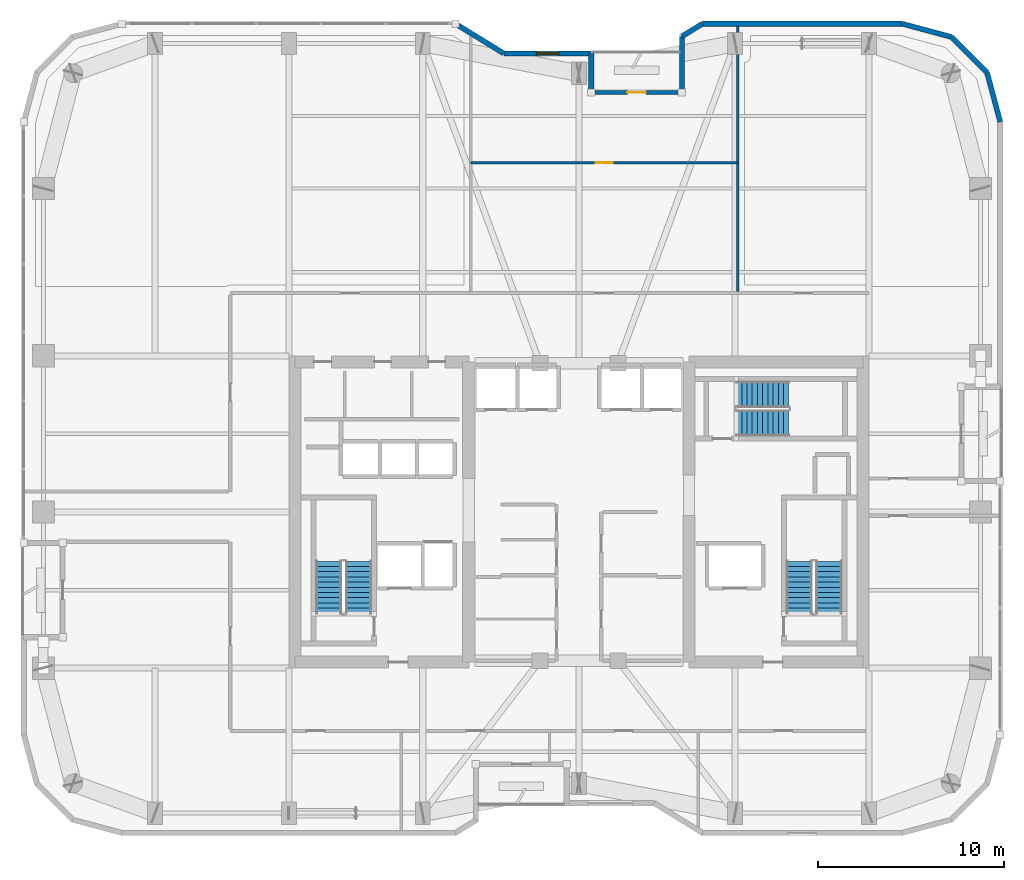
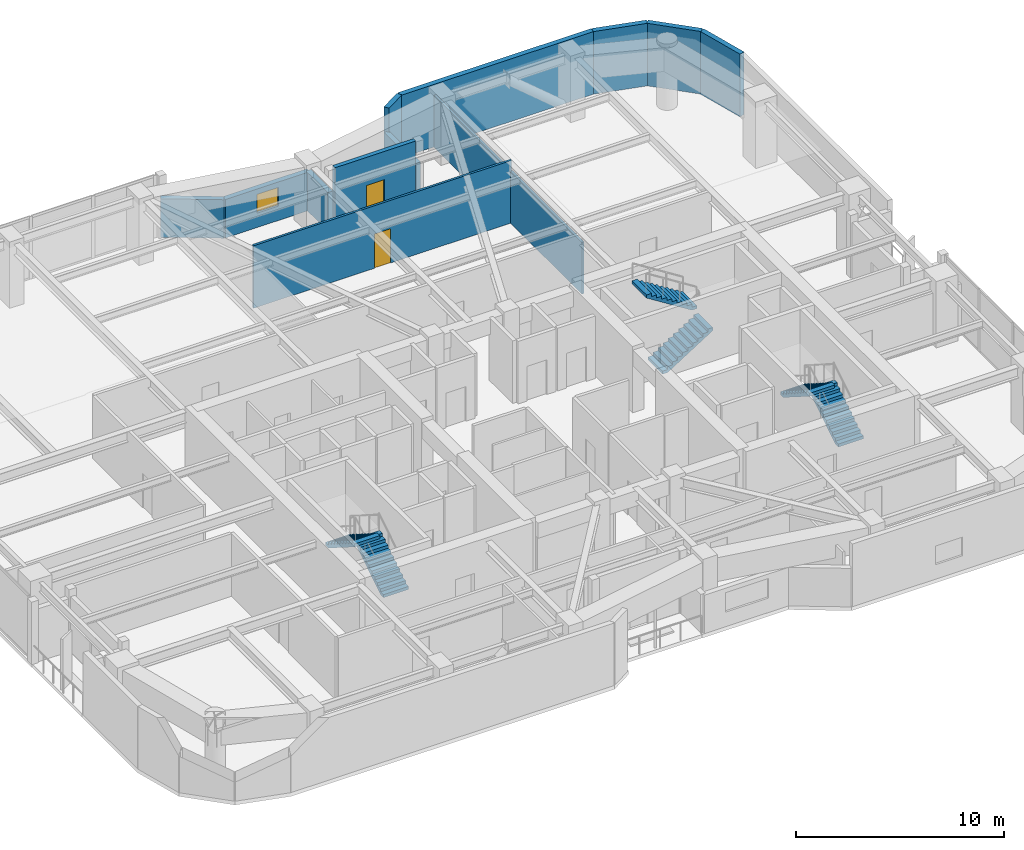
# One storey, part 27 of 30: 12 walls, 6 stair flights, 2 doors, 1 window, 3 openings, 3 elements without a shape of their own.
"""IFC4 building model written with IfcOpenShell, lengths in metres."""

from ifc_helpers import new_model, si_unit, direction, frame, frame_2d, origin, place, context, subcontext, project, spatial, polyline, rectangle, outline, extrude, material, layer, layer_set, type_object, element, fill, aggregate, save


model = new_model("IFC4")

# Units and contexts
model_context = context("Model", 3, precision=1e-05, world=origin(), true_north=direction((0.0, 1.0)))
body_context = subcontext(model_context, "Body", "Model", "MODEL_VIEW")
ifc_project = project(units=[si_unit("LENGTHUNIT", "METRE"), si_unit("AREAUNIT", "SQUARE_METRE"), si_unit("VOLUMEUNIT", "CUBIC_METRE"), si_unit("PLANEANGLEUNIT", "RADIAN"), si_unit("MASSUNIT", "GRAM", prefix="KILO")], contexts=[model_context])

# Site, building, storey
site_placement = place(None, origin())
site = spatial("IfcSite", under=ifc_project, at=site_placement, CompositionType="ELEMENT")
building_placement = place(site_placement, origin())
building = spatial("IfcBuilding", under=site, at=building_placement, Name="Kiyonajd Concourse Tower", CompositionType="ELEMENT")
storey_placement = place(building_placement, frame((0.0, 0.0, 190.199951171875)))
storey = spatial("IfcBuildingStorey", under=building, at=storey_placement, Name="L48", CompositionType="ELEMENT", Elevation=190.199951171875)

# Wall
ifc_material_1 = material(Name="Precast concrete C50/60", Category="concrete")
ifc_layer_1 = layer(ifc_material_1, 0.280029296875)
ifc_layer_set_1 = layer_set([ifc_layer_1], Name="Precast concrete C50/60")
wall_type_1 = type_object("IfcWallType", Name="WL-EXT-280", PredefinedType="SOLIDWALL", material=ifc_layer_set_1)
wall_1_placement = place(storey_placement, frame((41.3603515625, 62.260009765625, 0.0), z_axis=(0.0, 0.0, 1.0), x_axis=(0.851652825334, -0.524106349037, 0.0)))
element("IfcWall", 1, at=wall_1_placement, inside=storey, type_object=wall_type_1, Name="L48 Exterior Concrete Frame Wall 10", PredefinedType="SOLIDWALL", context=body_context, shape_type="SweptSolid", body=[
    extrude(rectangle(XDim=3.052978515625, YDim=0.280029296875, at=frame_2d((1.5263671875, 0.0))), origin(), (0.0, 0.0, 1.0), 2.26513671875),
])

# Wall, opening, window
wall_2_placement = place(storey_placement, frame((43.96044921875, 60.659912109375, 0.0), z_axis=(0.0, 0.0, 1.0), x_axis=(1.0, 0.0, 0.0)))
wall_2 = element("IfcWall", 2, at=wall_2_placement, inside=storey, type_object=wall_type_1, Name="L48 Exterior Concrete Frame Wall 11", PredefinedType="SOLIDWALL", context=body_context, shape_type="SweptSolid", body=[
    extrude(rectangle(XDim=4.699462890625, YDim=0.280029296875, at=frame_2d((2.349609375, 0.0))), origin(), (0.0, 0.0, 1.0), 2.26513671875),
])
opening_1_placement = place(wall_2_placement, frame((1.75, 0.0, 0.85009765625)))
opening_1 = element("IfcOpeningElement", 3, at=opening_1_placement, cuts=wall_2, Name="Opening WN3", PredefinedType="OPENING", context=body_context, shape_type="SweptSolid", body=[
    extrude(rectangle(XDim=1.199951171875, YDim=1.10009765625, at=frame_2d((0.60009765625, 0.550048828125))), frame((0.0, 0.14990234375, 0.0), z_axis=(0.0, -1.0, 0.0), x_axis=(1.0, 0.0, 0.0)), (0.0, 0.0, 1.0), 0.300048828125),
])
ifc_material_2 = material(Name="Double Low-E Insulated Glass", Category="glass")
window_type = type_object("IfcWindowType", Name="WN-VIS-1200x1100", PartitioningType="SINGLE_PANEL", PredefinedType="WINDOW", material=ifc_material_2)
window_placement = place(opening_1_placement, origin())
window = element("IfcWindow", 4, at=window_placement, inside=storey, type_object=window_type, Name="L48 Modular Facade Vision Window 11", OverallHeight=1.10009765625, OverallWidth=1.199951171875, PartitioningType="SINGLE_PANEL", PredefinedType="WINDOW", context=body_context, shape_type="SweptSolid", body=[
    extrude(rectangle(XDim=1.199951171875, YDim=1.10009765625, at=frame_2d((0.60009765625, 0.550048828125))), frame((0.0, 0.030029296875, 0.0), z_axis=(0.0, -1.0, 0.0), x_axis=(1.0, 0.0, 0.0)), (0.0, 0.0, 1.0), 0.06005859375),
])
fill(opening_1, window)

# Walls
wall_3_placement = place(storey_placement, frame((48.659912109375, 60.659912109375, 0.0), z_axis=(0.0, 0.0, 1.0), x_axis=(0.0, -1.0, 0.0)))
element("IfcWall", 5, at=wall_3_placement, inside=storey, type_object=wall_type_1, Name="L48 Exterior Concrete Frame Wall 12", PredefinedType="SOLIDWALL", context=body_context, shape_type="SweptSolid", body=[
    extrude(rectangle(XDim=2.099853515625, YDim=0.280029296875, at=frame_2d((1.0498046875, 0.0))), origin(), (0.0, 0.0, 1.0), 2.26513671875),
])
wall_4_placement = place(storey_placement, frame((53.5400390625, 58.56005859375, 0.0), z_axis=(0.0, 0.0, 1.0), x_axis=(0.0, 1.0, 0.0)))
element("IfcWall", 6, at=wall_4_placement, inside=storey, type_object=wall_type_1, Name="L48 Exterior Concrete Frame Wall 14", PredefinedType="SOLIDWALL", context=body_context, shape_type="SweptSolid", body=[
    extrude(rectangle(XDim=3.023681640625, YDim=0.280029296875, at=frame_2d((1.51171875, 0.0))), origin(), (0.0, 0.0, 1.0), 2.26513671875),
])
wall_5_placement = place(storey_placement, frame((53.5400390625, 61.583740234375, 0.0), z_axis=(0.0, 0.0, 1.0), x_axis=(0.851801140441, 0.523865266212, 0.0)))
element("IfcWall", 7, at=wall_5_placement, inside=storey, type_object=wall_type_1, Name="L48 Exterior Concrete Frame Wall 15", PredefinedType="SOLIDWALL", context=body_context, shape_type="SweptSolid", body=[
    extrude(rectangle(XDim=1.291015625, YDim=0.280029296875, at=frame_2d((0.6455078125, 0.0))), origin(), (0.0, 0.0, 1.0), 3.679931640625),
])
wall_6_placement = place(storey_placement, frame((54.6396484375, 62.260009765625, 0.0), z_axis=(0.0, 0.0, 1.0), x_axis=(1.0, 0.0, 0.0)))
element("IfcWall", 8, at=wall_6_placement, inside=storey, type_object=wall_type_1, Name="L48 Exterior Concrete Frame Wall 16", PredefinedType="SOLIDWALL", context=body_context, shape_type="SweptSolid", body=[
    extrude(rectangle(XDim=10.741943359375, YDim=0.280029296875, at=frame_2d((5.37109375, 0.0))), origin(), (0.0, 0.0, 1.0), 3.679931640625),
])
wall_7_placement = place(storey_placement, frame((65.381591796875, 62.260009765625, 0.0), z_axis=(0.0, 0.0, 1.0), x_axis=(0.965971118627, -0.258649952598, 0.0)))
element("IfcWall", 9, at=wall_7_placement, inside=storey, type_object=wall_type_1, Name="L48 Exterior Concrete Frame Wall 17", PredefinedType="SOLIDWALL", context=body_context, shape_type="SweptSolid", body=[
    extrude(rectangle(XDim=2.7392578125, YDim=0.280029296875, at=frame_2d((1.36962890625, 0.0))), origin(), (0.0, 0.0, 1.0), 3.679931640625),
])
wall_8_placement = place(storey_placement, frame((68.027587890625, 61.551513671875, 0.0), z_axis=(0.0, 0.0, 1.0), x_axis=(0.707061915429, -0.707151644098, 0.0)))
element("IfcWall", 10, at=wall_8_placement, inside=storey, type_object=wall_type_1, Name="L48 Exterior Concrete Frame Wall 18", PredefinedType="SOLIDWALL", context=body_context, shape_type="SweptSolid", body=[
    extrude(rectangle(XDim=2.720947265625, YDim=0.280029296875, at=frame_2d((1.3603515625, 0.0))), origin(), (0.0, 0.0, 1.0), 3.679931640625),
])
wall_9_placement = place(storey_placement, frame((69.951416015625, 59.62744140625, 0.0), z_axis=(0.0, 0.0, 1.0), x_axis=(0.258672222976, -0.9659651552, 0.0)))
element("IfcWall", 11, at=wall_9_placement, inside=storey, type_object=wall_type_1, Name="L48 Exterior Concrete Frame Wall 19", PredefinedType="SOLIDWALL", context=body_context, shape_type="SweptSolid", body=[
    extrude(rectangle(XDim=2.739013671875, YDim=0.280029296875, at=frame_2d((1.36962890625, 0.0))), origin(), (0.0, 0.0, 1.0), 3.679931640625),
])

# Wall, opening, door
ifc_layer_2 = layer(ifc_material_1, 0.239990234375)
ifc_layer_set_2 = layer_set([ifc_layer_2], Name="Precast concrete C50/60")
wall_type_2 = type_object("IfcWallType", Name="WL-LOG-240", PredefinedType="SOLIDWALL", material=ifc_layer_set_2)
wall_10_placement = place(storey_placement, frame((48.85498046875, 58.56005859375, 0.0), z_axis=(0.0, 0.0, 1.0), x_axis=(1.0, 0.0, 0.0)))
wall_10 = element("IfcWall", 12, at=wall_10_placement, inside=storey, type_object=wall_type_2, Name="L48 Recessed Loggia Thermal Wall LOG-N", PredefinedType="SOLIDWALL", context=body_context, shape_type="SweptSolid", body=[
    extrude(rectangle(XDim=4.489990234375, YDim=0.239990234375, at=frame_2d((2.2451171875, 0.0))), origin(), (0.0, 0.0, 1.0), 3.679931640625),
])
opening_2_placement = place(wall_10_placement, frame((1.7451171875, 0.0, 0.0)))
opening_2 = element("IfcOpeningElement", 13, at=opening_2_placement, cuts=wall_10, Name="Opening DL1", PredefinedType="OPENING", context=body_context, shape_type="SweptSolid", body=[
    extrude(rectangle(XDim=1.0, YDim=2.02001953125, at=frame_2d((0.5, 1.010009765625))), frame((0.0, 0.1298828125, 0.0), z_axis=(0.0, -1.0, 0.0), x_axis=(1.0, 0.0, 0.0)), (0.0, 0.0, 1.0), 0.260009765625),
])
ifc_material_3 = material(Name="Thermally Broken Anodised Aluminium", Category="aluminium")
door_type_1 = type_object("IfcDoorType", Name="DR-LOG-1000", OperationType="NOTDEFINED", PredefinedType="DOOR", material=ifc_material_3)
door_1_placement = place(opening_2_placement, origin())
door_1 = element("IfcDoor", 14, at=door_1_placement, inside=storey, type_object=door_type_1, Name="L48 Engawa Loggia Access Door LOG-N", OperationType="SINGLE_SWING_RIGHT", OverallHeight=2.02001953125, OverallWidth=1.0, PredefinedType="DOOR", context=body_context, shape_type="SweptSolid", body=[
    extrude(rectangle(XDim=1.0, YDim=2.02001953125, at=frame_2d((0.5, 1.010009765625))), frame((0.0, 0.02490234375, 0.0), z_axis=(0.0, -1.0, 0.0), x_axis=(1.0, 0.0, 0.0)), (0.0, 0.0, 1.0), 0.050048828125),
])
fill(opening_2, door_1)

ifc_material_4 = material(Name="Gypsum Board on Cold-Formed Steel Stud", Category="steel")
ifc_layer_3 = layer(ifc_material_4, 0.125)
ifc_layer_set_3 = layer_set([ifc_layer_3], Name="Gypsum Board on Cold-Formed Steel Stud")
wall_type_3 = type_object("IfcWallType", Name="WL-PART-125", PredefinedType="PARTITIONING", material=ifc_layer_set_3)
wall_11_placement = place(storey_placement, frame((42.179931640625, 54.7900390625, 0.0), z_axis=(0.0, 0.0, 1.0), x_axis=(1.0, 0.0, 0.0)))
wall_11 = element("IfcWall", 15, at=wall_11_placement, inside=storey, type_object=wall_type_3, Name="L48 Interior Partition Wall", PredefinedType="PARTITIONING", context=body_context, shape_type="SweptSolid", body=[
    extrude(rectangle(XDim=14.360107421875, YDim=0.125, at=frame_2d((7.18017578125, 0.0))), origin(), (0.0, 0.0, 1.0), 3.679931640625),
])
opening_3_placement = place(wall_11_placement, frame((6.72998046875, 0.0, 0.0)))
opening_3 = element("IfcOpeningElement", 16, at=opening_3_placement, cuts=wall_11, Name="Opening DI2", PredefinedType="OPENING", context=body_context, shape_type="SweptSolid", body=[
    extrude(rectangle(XDim=0.89990234375, YDim=2.02001953125, at=frame_2d((0.449951171875, 1.010009765625))), frame((0.0, 0.072509765625, 0.0), z_axis=(0.0, -1.0, 0.0), x_axis=(1.0, 0.0, 0.0)), (0.0, 0.0, 1.0), 0.14501953125),
])
ifc_material_5 = material(Name="Natural Oak Acoustic Timber Veneer", Category="wood")
door_type_2 = type_object("IfcDoorType", Name="DR-INT-900", OperationType="NOTDEFINED", PredefinedType="DOOR", material=ifc_material_5)
door_2_placement = place(opening_3_placement, origin())
door_2 = element("IfcDoor", 17, at=door_2_placement, inside=storey, type_object=door_type_2, Name="L48 Interior Door", OperationType="SINGLE_SWING_LEFT", OverallHeight=2.02001953125, OverallWidth=0.89990234375, PredefinedType="DOOR", context=body_context, shape_type="SweptSolid", body=[
    extrude(rectangle(XDim=0.89990234375, YDim=2.02001953125, at=frame_2d((0.449951171875, 1.010009765625))), frame((0.0, 0.02490234375, 0.0), z_axis=(0.0, -1.0, 0.0), x_axis=(1.0, 0.0, 0.0)), (0.0, 0.0, 1.0), 0.050048828125),
])
fill(opening_3, door_2)

# Wall
wall_12_placement = place(storey_placement, frame((56.5400390625, 47.85693359375, 0.0), z_axis=(0.0, 0.0, 1.0), x_axis=(0.0, 1.0, 0.0)))
element("IfcWall", 18, at=wall_12_placement, inside=storey, type_object=wall_type_3, Name="L48 Interior Partition Wall", PredefinedType="PARTITIONING", context=body_context, shape_type="SweptSolid", body=[
    extrude(rectangle(XDim=14.26806640625, YDim=0.125, at=frame_2d((7.134033203125, 0.0))), origin(), (0.0, 0.0, 1.0), 3.04296875),
])

# Stair, stair flights
ifc_material_6 = material(Name="Concrete C40/50", Category="concrete")
stair_type = type_object("IfcStairType", Name="ST-DLG-22R", PredefinedType="HALF_TURN_STAIR", material=ifc_material_6)
stair_1_placement = place(storey_placement, origin())
stair_1 = element("IfcStair", 19, at=stair_1_placement, inside=storey, type_object=stair_type, Name="L48 Protected Exit Stair ST1", PredefinedType="HALF_TURN_STAIR")
stair_flight_type = type_object("IfcStairFlightType", Name="SF-STR-22R", PredefinedType="STRAIGHT", material=ifc_material_6)
stair_flight_1_placement = place(storey_placement, frame((36.14990234375, 30.550048828125, 0.0), z_axis=(0.0, 0.0, 1.0), x_axis=(0.0, 1.0, 0.0)))
stair_flight_1 = element("IfcStairFlight", 20, at=stair_flight_1_placement, type_object=stair_flight_type, Name="ST1 flight 1", NumberOfRisers=11, NumberOfTreads=10, PredefinedType="STRAIGHT", RiserHeight=0.177272727, TreadLength=0.28, context=body_context, shape_type="SweptSolid", body=[
    extrude(outline(polyline([(0.0, 0.0), (0.0, 0.17724609375), (0.280029296875, 0.17724609375), (0.280029296875, 0.3544921875), (0.56005859375, 0.3544921875), (0.56005859375, 0.53173828125), (0.840087890625, 0.53173828125), (0.840087890625, 0.708984375), (1.1201171875, 0.708984375), (1.1201171875, 0.886474609375), (1.39990234375, 0.886474609375), (1.39990234375, 1.063720703125), (1.679931640625, 1.063720703125), (1.679931640625, 1.240966796875), (1.9599609375, 1.240966796875), (1.9599609375, 1.418212890625), (2.239990234375, 1.418212890625), (2.239990234375, 1.595458984375), (2.52001953125, 1.595458984375), (2.52001953125, 1.772705078125), (2.800048828125, 1.772705078125), (2.800048828125, 1.949951171875), (2.800048828125, 1.59521484375), (0.2802734375, 0.0), (0.0, 0.0)])), frame((0.0, 0.699951171875, 0.0), z_axis=(0.0, -1.0, 0.0), x_axis=(1.0, 0.0, 0.0)), (0.0, 0.0, 1.0), 1.39990234375),
])
stair_flight_2_placement = place(storey_placement, frame((34.550048828125, 33.35009765625, 1.949951171875), z_axis=(0.0, 0.0, 1.0), x_axis=(0.0, -1.0, 0.0)))
stair_flight_2 = element("IfcStairFlight", 21, at=stair_flight_2_placement, type_object=stair_flight_type, Name="ST1 flight 2", NumberOfRisers=11, NumberOfTreads=10, PredefinedType="STRAIGHT", RiserHeight=0.177272727, TreadLength=0.28, context=body_context, shape_type="SweptSolid", body=[
    extrude(outline(polyline([(0.0, 0.0), (0.0, 0.17724609375), (0.280029296875, 0.17724609375), (0.280029296875, 0.3544921875), (0.56005859375, 0.3544921875), (0.56005859375, 0.53173828125), (0.840087890625, 0.53173828125), (0.840087890625, 0.708984375), (1.1201171875, 0.708984375), (1.1201171875, 0.886474609375), (1.39990234375, 0.886474609375), (1.39990234375, 1.063720703125), (1.679931640625, 1.063720703125), (1.679931640625, 1.240966796875), (1.9599609375, 1.240966796875), (1.9599609375, 1.418212890625), (2.239990234375, 1.418212890625), (2.239990234375, 1.595458984375), (2.52001953125, 1.595458984375), (2.52001953125, 1.772705078125), (2.800048828125, 1.772705078125), (2.800048828125, 1.949951171875), (2.800048828125, 1.59521484375), (0.2802734375, 0.0), (0.0, 0.0)])), frame((0.0, 0.699951171875, 0.0), z_axis=(0.0, -1.0, 0.0), x_axis=(1.0, 0.0, 0.0)), (0.0, 0.0, 1.0), 1.39990234375),
])
aggregate(stair_1, [stair_flight_1, stair_flight_2])

stair_2_placement = place(storey_placement, origin())
stair_2 = element("IfcStair", 22, at=stair_2_placement, inside=storey, type_object=stair_type, Name="L48 Protected Exit Stair ST2", PredefinedType="HALF_TURN_STAIR")
stair_flight_3_placement = place(storey_placement, frame((61.449951171875, 30.550048828125, 0.0), z_axis=(0.0, 0.0, 1.0), x_axis=(0.0, 1.0, 0.0)))
stair_flight_3 = element("IfcStairFlight", 23, at=stair_flight_3_placement, type_object=stair_flight_type, Name="ST2 flight 1", NumberOfRisers=11, NumberOfTreads=10, PredefinedType="STRAIGHT", RiserHeight=0.177272727, TreadLength=0.28, context=body_context, shape_type="SweptSolid", body=[
    extrude(outline(polyline([(0.0, 0.0), (0.0, 0.17724609375), (0.280029296875, 0.17724609375), (0.280029296875, 0.3544921875), (0.56005859375, 0.3544921875), (0.56005859375, 0.53173828125), (0.840087890625, 0.53173828125), (0.840087890625, 0.708984375), (1.1201171875, 0.708984375), (1.1201171875, 0.886474609375), (1.39990234375, 0.886474609375), (1.39990234375, 1.063720703125), (1.679931640625, 1.063720703125), (1.679931640625, 1.240966796875), (1.9599609375, 1.240966796875), (1.9599609375, 1.418212890625), (2.239990234375, 1.418212890625), (2.239990234375, 1.595458984375), (2.52001953125, 1.595458984375), (2.52001953125, 1.772705078125), (2.800048828125, 1.772705078125), (2.800048828125, 1.949951171875), (2.800048828125, 1.59521484375), (0.2802734375, 0.0), (0.0, 0.0)])), frame((0.0, 0.699951171875, 0.0), z_axis=(0.0, -1.0, 0.0), x_axis=(1.0, 0.0, 0.0)), (0.0, 0.0, 1.0), 1.39990234375),
])
stair_flight_4_placement = place(storey_placement, frame((59.85009765625, 33.35009765625, 1.949951171875), z_axis=(0.0, 0.0, 1.0), x_axis=(0.0, -1.0, 0.0)))
stair_flight_4 = element("IfcStairFlight", 24, at=stair_flight_4_placement, type_object=stair_flight_type, Name="ST2 flight 2", NumberOfRisers=11, NumberOfTreads=10, PredefinedType="STRAIGHT", RiserHeight=0.177272727, TreadLength=0.28, context=body_context, shape_type="SweptSolid", body=[
    extrude(outline(polyline([(0.0, 0.0), (0.0, 0.17724609375), (0.280029296875, 0.17724609375), (0.280029296875, 0.3544921875), (0.56005859375, 0.3544921875), (0.56005859375, 0.53173828125), (0.840087890625, 0.53173828125), (0.840087890625, 0.708984375), (1.1201171875, 0.708984375), (1.1201171875, 0.886474609375), (1.39990234375, 0.886474609375), (1.39990234375, 1.063720703125), (1.679931640625, 1.063720703125), (1.679931640625, 1.240966796875), (1.9599609375, 1.240966796875), (1.9599609375, 1.418212890625), (2.239990234375, 1.418212890625), (2.239990234375, 1.595458984375), (2.52001953125, 1.595458984375), (2.52001953125, 1.772705078125), (2.800048828125, 1.772705078125), (2.800048828125, 1.949951171875), (2.800048828125, 1.59521484375), (0.2802734375, 0.0), (0.0, 0.0)])), frame((0.0, 0.699951171875, 0.0), z_axis=(0.0, -1.0, 0.0), x_axis=(1.0, 0.0, 0.0)), (0.0, 0.0, 1.0), 1.39990234375),
])
aggregate(stair_2, [stair_flight_3, stair_flight_4])

stair_3_placement = place(storey_placement, origin())
stair_3 = element("IfcStair", 25, at=stair_3_placement, inside=storey, type_object=stair_type, Name="L48 Protected Exit Stair ST3", PredefinedType="HALF_TURN_STAIR")
stair_flight_5_placement = place(storey_placement, frame((56.47998046875, 40.780029296875, 0.0), z_axis=(0.0, 0.0, 1.0), x_axis=(1.0, 0.0, 0.0)))
stair_flight_5 = element("IfcStairFlight", 26, at=stair_flight_5_placement, type_object=stair_flight_type, Name="ST3 flight 1", NumberOfRisers=11, NumberOfTreads=10, PredefinedType="STRAIGHT", RiserHeight=0.177272727, TreadLength=0.28, context=body_context, shape_type="SweptSolid", body=[
    extrude(outline(polyline([(0.0, 0.0), (0.0, 0.17724609375), (0.280029296875, 0.17724609375), (0.280029296875, 0.3544921875), (0.56005859375, 0.3544921875), (0.56005859375, 0.53173828125), (0.840087890625, 0.53173828125), (0.840087890625, 0.708984375), (1.1201171875, 0.708984375), (1.1201171875, 0.886474609375), (1.39990234375, 0.886474609375), (1.39990234375, 1.063720703125), (1.679931640625, 1.063720703125), (1.679931640625, 1.240966796875), (1.9599609375, 1.240966796875), (1.9599609375, 1.418212890625), (2.239990234375, 1.418212890625), (2.239990234375, 1.595458984375), (2.52001953125, 1.595458984375), (2.52001953125, 1.772705078125), (2.800048828125, 1.772705078125), (2.800048828125, 1.949951171875), (2.800048828125, 1.59521484375), (0.2802734375, 0.0), (0.0, 0.0)])), frame((0.0, 0.699951171875, 0.0), z_axis=(0.0, -1.0, 0.0), x_axis=(1.0, 0.0, 0.0)), (0.0, 0.0, 1.0), 1.39990234375),
])
stair_flight_6_placement = place(storey_placement, frame((59.280029296875, 42.320068359375, 1.949951171875), z_axis=(0.0, 0.0, 1.0), x_axis=(-1.0, 0.0, 0.0)))
stair_flight_6 = element("IfcStairFlight", 27, at=stair_flight_6_placement, type_object=stair_flight_type, Name="ST3 flight 2", NumberOfRisers=11, NumberOfTreads=10, PredefinedType="STRAIGHT", RiserHeight=0.177272727, TreadLength=0.28, context=body_context, shape_type="SweptSolid", body=[
    extrude(outline(polyline([(0.0, 0.0), (0.0, 0.17724609375), (0.280029296875, 0.17724609375), (0.280029296875, 0.3544921875), (0.56005859375, 0.3544921875), (0.56005859375, 0.53173828125), (0.840087890625, 0.53173828125), (0.840087890625, 0.708984375), (1.1201171875, 0.708984375), (1.1201171875, 0.886474609375), (1.39990234375, 0.886474609375), (1.39990234375, 1.063720703125), (1.679931640625, 1.063720703125), (1.679931640625, 1.240966796875), (1.9599609375, 1.240966796875), (1.9599609375, 1.418212890625), (2.239990234375, 1.418212890625), (2.239990234375, 1.595458984375), (2.52001953125, 1.595458984375), (2.52001953125, 1.772705078125), (2.800048828125, 1.772705078125), (2.800048828125, 1.949951171875), (2.800048828125, 1.59521484375), (0.2802734375, 0.0), (0.0, 0.0)])), frame((0.0, 0.699951171875, 0.0), z_axis=(0.0, -1.0, 0.0), x_axis=(1.0, 0.0, 0.0)), (0.0, 0.0, 1.0), 1.39990234375),
])
aggregate(stair_3, [stair_flight_5, stair_flight_6])

save(model, "model.ifc")
